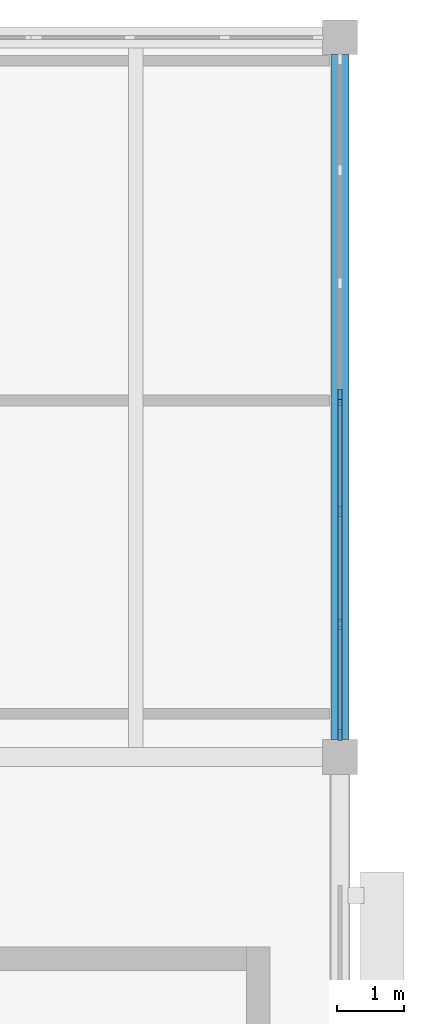
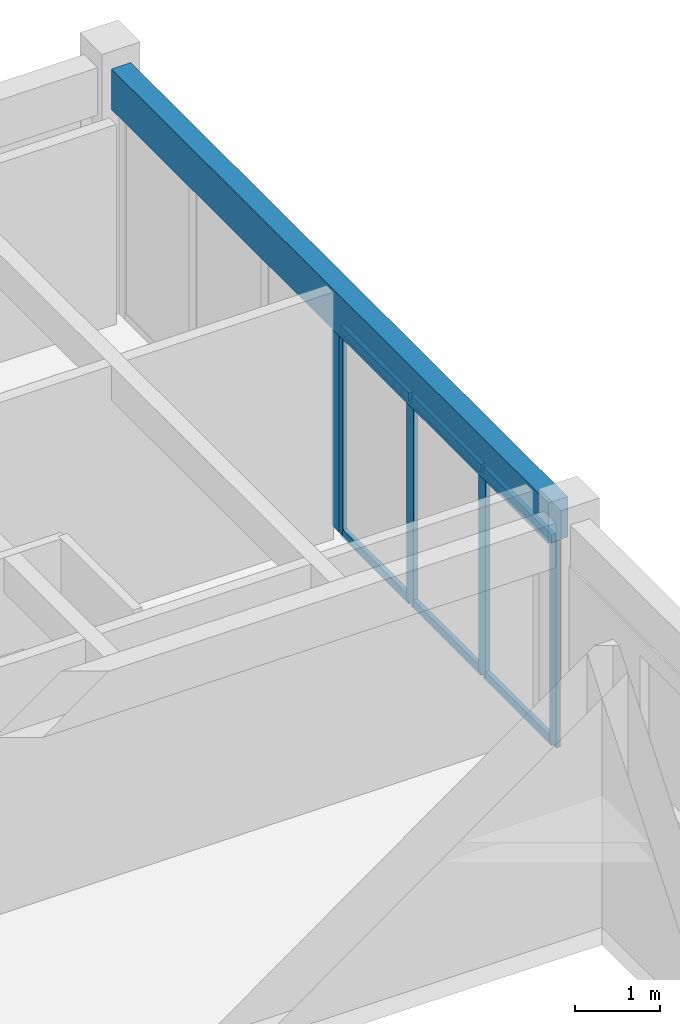
# One storey, part 3 of 22: 11 members, 1 beam, 2 elements without a shape of their own.
"""IFC4 building model written with IfcOpenShell, lengths in metres."""

from ifc_helpers import new_model, si_unit, direction, frame, origin, origin_2d, place, context, subcontext, project, spatial, rectangle, extrude, material, material_profile, profile_set, type_object, element, aggregate, save


model = new_model("IFC4")

# Units and contexts
model_context = context("Model", 3, precision=1e-05, world=origin(), true_north=direction((0.0, 1.0)))
body_context = subcontext(model_context, "Body", "Model", "MODEL_VIEW")
ifc_project = project(units=[si_unit("LENGTHUNIT", "METRE"), si_unit("AREAUNIT", "SQUARE_METRE"), si_unit("VOLUMEUNIT", "CUBIC_METRE"), si_unit("PLANEANGLEUNIT", "RADIAN"), si_unit("MASSUNIT", "GRAM", prefix="KILO")], contexts=[model_context])

# Site, building, storey
site_placement = place(None, origin())
site = spatial("IfcSite", under=ifc_project, at=site_placement, CompositionType="ELEMENT")
building_placement = place(site_placement, origin())
building = spatial("IfcBuilding", under=site, at=building_placement, Name="Veldera Park Congress Hotel", CompositionType="ELEMENT")
storey_placement = place(building_placement, frame((0.0, 0.0, 23.800048828125)))
storey = spatial("IfcBuildingStorey", under=building, at=storey_placement, Name="L05", CompositionType="ELEMENT", Elevation=23.800048828125)

# Beam
ifc_material_1 = material(Name="Glulam GL28h (NDS 24F-V4)", Category="wood")
ifc_material_profile_1 = material_profile(ifc_material_1, rectangle(XDim=0.264892578125, YDim=0.580078125, at=origin_2d()), Name="GL28h 265x580")
ifc_profile_set_1 = profile_set([ifc_material_profile_1], Name="Glulam GL28h (NDS 24F-V4)")
beam_type = type_object("IfcBeamType", Name="BM-GL540E", PredefinedType="BEAM", material=ifc_profile_set_1)
beam_placement = place(storey_placement, frame((84.0, 47.4599609375, 3.260009765625), z_axis=(0.0, 1.0, 0.0), x_axis=(-1.0, 0.0, 0.0)))
element("IfcBeam", 1, at=beam_placement, inside=storey, type_object=beam_type, Name="L05 Girder BM-GL540E 1474", PredefinedType="BEAM", context=body_context, shape_type="SweptSolid", body=[
    extrude(rectangle(XDim=0.264892578125, YDim=0.580078125, at=origin_2d()), origin(), (0.0, 0.0, 1.0), 10.280029296875),
])

# Curtain wall, members
ifc_material_2 = material(Name="Low-E Triple Insulating Glass Unit (SHGC 0.22)", Category="glass")
curtain_wall_type = type_object("IfcCurtainWallType", Name="CW-HTL", PredefinedType="NOTDEFINED", material=ifc_material_2)
curtain_wall_1_placement = place(storey_placement, origin())
curtain_wall_1 = element("IfcCurtainWall", 2, at=curtain_wall_1_placement, inside=storey, type_object=curtain_wall_type, Name="L05 Curtain Wall CW3-HTLNE-L05-104", PredefinedType="NOTDEFINED")
ifc_material_3 = material(Name="Anodised Aluminium Alloy 6063-T6", Category="aluminium")
ifc_material_profile_2 = material_profile(ifc_material_3, rectangle(XDim=0.06005859375, YDim=0.159912109375, at=origin_2d()), Name="ALU 60x160")
ifc_profile_set_2 = profile_set([ifc_material_profile_2], Name="Anodised Aluminium Alloy 6063-T6")
member_type_1 = type_object("IfcMemberType", Name="CWM-160", PredefinedType="MULLION", material=ifc_profile_set_2)
member_1_placement = place(storey_placement, frame((84.0, 47.530029296875, 0.0), z_axis=(0.0, 0.0, 1.0), x_axis=(-1.0, 0.0, 0.0)))
member_1 = element("IfcMember", 3, at=member_1_placement, type_object=member_type_1, Name="CW-HTL mullion 1", PredefinedType="MULLION", context=body_context, shape_type="SweptSolid", body=[
    extrude(rectangle(XDim=0.06005859375, YDim=0.159912109375, at=origin_2d()), origin(), (0.0, 0.0, 1.0), 2.96484375),
])
member_2_placement = place(storey_placement, frame((84.0, 49.195068359375, 0.0), z_axis=(0.0, 0.0, 1.0), x_axis=(-1.0, 0.0, 0.0)))
member_2 = element("IfcMember", 4, at=member_2_placement, type_object=member_type_1, Name="CW-HTL mullion 2", PredefinedType="MULLION", context=body_context, shape_type="SweptSolid", body=[
    extrude(rectangle(XDim=0.06005859375, YDim=0.159912109375, at=origin_2d()), origin(), (0.0, 0.0, 1.0), 2.96484375),
])
member_3_placement = place(storey_placement, frame((84.0, 50.889892578125, 0.0), z_axis=(0.0, 0.0, 1.0), x_axis=(-1.0, 0.0, 0.0)))
member_3 = element("IfcMember", 5, at=member_3_placement, type_object=member_type_1, Name="CW-HTL mullion 3", PredefinedType="MULLION", context=body_context, shape_type="SweptSolid", body=[
    extrude(rectangle(XDim=0.06005859375, YDim=0.159912109375, at=origin_2d()), origin(), (0.0, 0.0, 1.0), 2.96484375),
])
member_4_placement = place(storey_placement, frame((84.0, 52.554931640625, 0.0), z_axis=(0.0, 0.0, 1.0), x_axis=(-1.0, 0.0, 0.0)))
member_4 = element("IfcMember", 6, at=member_4_placement, type_object=member_type_1, Name="CW-HTL mullion 4", PredefinedType="MULLION", context=body_context, shape_type="SweptSolid", body=[
    extrude(rectangle(XDim=0.06005859375, YDim=0.159912109375, at=origin_2d()), origin(), (0.0, 0.0, 1.0), 2.96484375),
])

# Curtain wall, member
curtain_wall_2_placement = place(storey_placement, origin())
curtain_wall_2 = element("IfcCurtainWall", 7, at=curtain_wall_2_placement, inside=storey, type_object=curtain_wall_type, Name="L05 Curtain Wall CW3-HTLNE-L05-105", PredefinedType="NOTDEFINED")
member_5_placement = place(storey_placement, frame((84.0, 52.64501953125, 0.0), z_axis=(0.0, 0.0, 1.0), x_axis=(-1.0, 0.0, 0.0)))
member_5 = element("IfcMember", 8, at=member_5_placement, type_object=member_type_1, Name="CW-HTL mullion 1", PredefinedType="MULLION", context=body_context, shape_type="SweptSolid", body=[
    extrude(rectangle(XDim=0.06005859375, YDim=0.159912109375, at=origin_2d()), origin(), (0.0, 0.0, 1.0), 2.96484375),
])
aggregate(curtain_wall_2, [member_5])

# Member
ifc_material_profile_3 = material_profile(ifc_material_3, rectangle(XDim=0.06005859375, YDim=0.1201171875, at=origin_2d()), Name="ALU 60x120")
ifc_profile_set_3 = profile_set([ifc_material_profile_3], Name="Anodised Aluminium Alloy 6063-T6")
member_type_2 = type_object("IfcMemberType", Name="CWT-120", PredefinedType="USERDEFINED", material=ifc_profile_set_3)
member_6_placement = place(storey_placement, frame((84.0, 47.56005859375, 0.030029296875), z_axis=(0.0, 1.0, 0.0), x_axis=(-1.0, 0.0, 0.0)))
member_6 = element("IfcMember", 9, at=member_6_placement, type_object=member_type_2, Name="CW-HTL transom 1.1", ObjectType="TRANSOM", PredefinedType="USERDEFINED", context=body_context, shape_type="SweptSolid", body=[
    extrude(rectangle(XDim=0.06005859375, YDim=0.1201171875, at=origin_2d()), origin(), (0.0, 0.0, 1.0), 1.60498046875),
])

member_7_placement = place(storey_placement, frame((84.0, 47.56005859375, 2.93505859375), z_axis=(0.0, 1.0, 0.0), x_axis=(-1.0, 0.0, 0.0)))
member_7 = element("IfcMember", 10, at=member_7_placement, type_object=member_type_2, Name="CW-HTL transom 1.2", ObjectType="TRANSOM", PredefinedType="USERDEFINED", context=body_context, shape_type="SweptSolid", body=[
    extrude(rectangle(XDim=0.06005859375, YDim=0.1201171875, at=origin_2d()), origin(), (0.0, 0.0, 1.0), 1.60498046875),
])

member_8_placement = place(storey_placement, frame((84.0, 49.22509765625, 0.030029296875), z_axis=(0.0, 1.0, 0.0), x_axis=(-1.0, 0.0, 0.0)))
member_8 = element("IfcMember", 11, at=member_8_placement, type_object=member_type_2, Name="CW-HTL transom 2.1", ObjectType="TRANSOM", PredefinedType="USERDEFINED", context=body_context, shape_type="SweptSolid", body=[
    extrude(rectangle(XDim=0.06005859375, YDim=0.1201171875, at=origin_2d()), origin(), (0.0, 0.0, 1.0), 1.635009765625),
])

member_9_placement = place(storey_placement, frame((84.0, 49.22509765625, 2.93505859375), z_axis=(0.0, 1.0, 0.0), x_axis=(-1.0, 0.0, 0.0)))
member_9 = element("IfcMember", 12, at=member_9_placement, type_object=member_type_2, Name="CW-HTL transom 2.2", ObjectType="TRANSOM", PredefinedType="USERDEFINED", context=body_context, shape_type="SweptSolid", body=[
    extrude(rectangle(XDim=0.06005859375, YDim=0.1201171875, at=origin_2d()), origin(), (0.0, 0.0, 1.0), 1.635009765625),
])

member_10_placement = place(storey_placement, frame((84.0, 50.919921875, 0.030029296875), z_axis=(0.0, 1.0, 0.0), x_axis=(-1.0, 0.0, 0.0)))
member_10 = element("IfcMember", 13, at=member_10_placement, type_object=member_type_2, Name="CW-HTL transom 3.1", ObjectType="TRANSOM", PredefinedType="USERDEFINED", context=body_context, shape_type="SweptSolid", body=[
    extrude(rectangle(XDim=0.06005859375, YDim=0.1201171875, at=origin_2d()), origin(), (0.0, 0.0, 1.0), 1.60498046875),
])

member_11_placement = place(storey_placement, frame((84.0, 50.919921875, 2.93505859375), z_axis=(0.0, 1.0, 0.0), x_axis=(-1.0, 0.0, 0.0)))
member_11 = element("IfcMember", 14, at=member_11_placement, type_object=member_type_2, Name="CW-HTL transom 3.2", ObjectType="TRANSOM", PredefinedType="USERDEFINED", context=body_context, shape_type="SweptSolid", body=[
    extrude(rectangle(XDim=0.06005859375, YDim=0.1201171875, at=origin_2d()), origin(), (0.0, 0.0, 1.0), 1.60498046875),
])

aggregate(curtain_wall_1, [member_1, member_2, member_3, member_4, member_6, member_7, member_8, member_9, member_10, member_11])

save(model, "model.ifc")
